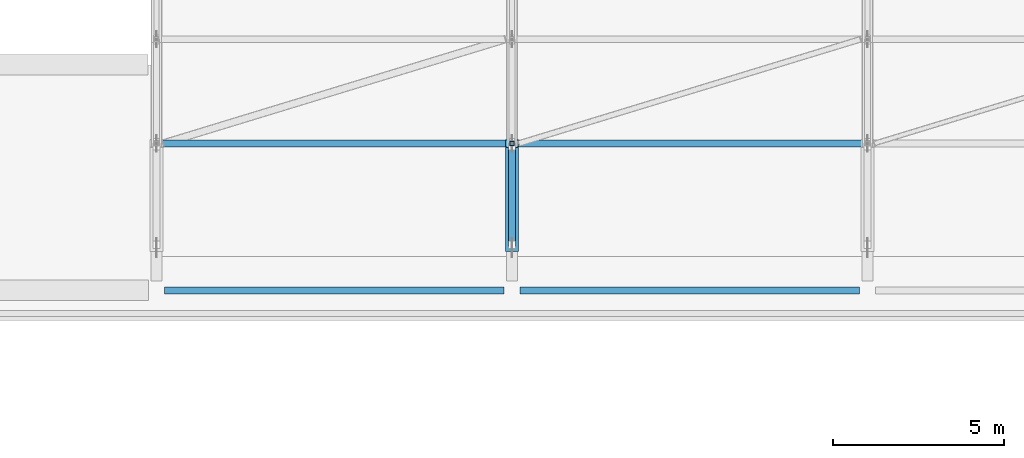
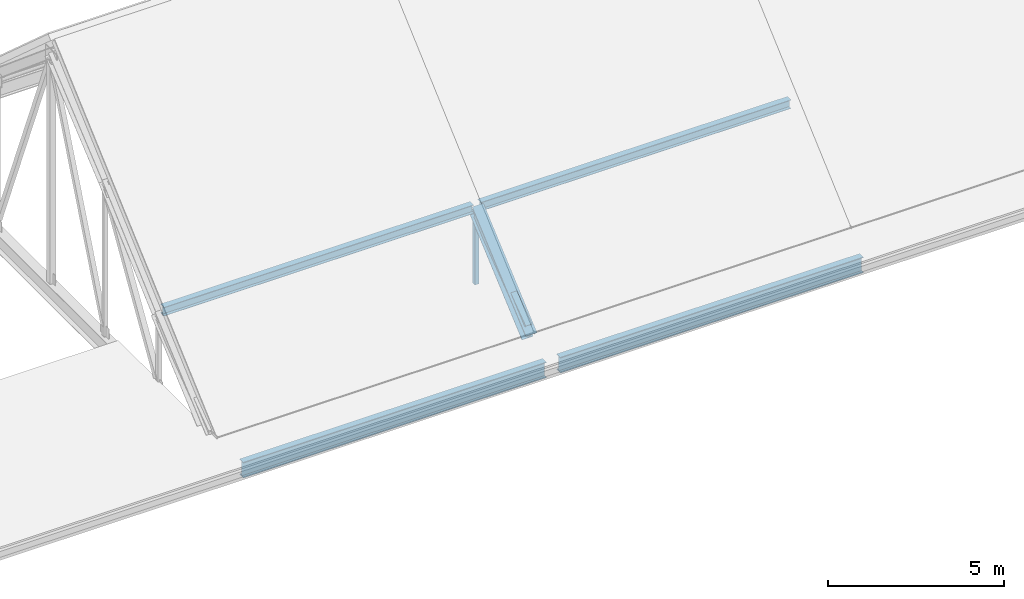
# One storey, part 12 of 86: 4 beams, 3 members.
"""IFC4 building model written with IfcOpenShell, lengths in metres."""

from ifc_helpers import new_model, si_unit, derived_unit, direction, frame, origin, origin_2d, place, context, subcontext, project, spatial, hollow_rectangle, i_section, extrude, material, material_profile, profile_set, type_object, element, save


model = new_model("IFC4")

# Units and contexts
model_context = context("Model", 3, precision=1e-05, world=origin(), true_north=direction((0.0, 1.0)))
body_context = subcontext(model_context, "Body", "Model", "MODEL_VIEW")
ifc_project = project(units=[si_unit("LENGTHUNIT", "METRE"), si_unit("AREAUNIT", "SQUARE_METRE"), si_unit("VOLUMEUNIT", "CUBIC_METRE"), si_unit("PLANEANGLEUNIT", "RADIAN"), si_unit("MASSUNIT", "GRAM", prefix="KILO"), derived_unit("THERMALTRANSMITTANCEUNIT", [(si_unit("POWERUNIT", "WATT"), 1), (si_unit("LENGTHUNIT", "METRE"), -2), (si_unit("THERMODYNAMICTEMPERATUREUNIT", "KELVIN"), -1)])], contexts=[model_context])

# Site, building, storey
site_placement = place(None, origin())
site = spatial("IfcSite", under=ifc_project, at=site_placement, CompositionType="ELEMENT")
building_placement = place(site_placement, origin())
building = spatial("IfcBuilding", under=site, at=building_placement, Name="Braskholm Square Health Centre", CompositionType="ELEMENT")
storey_placement = place(building_placement, frame((0.0, 0.0, 13.5)))
storey = spatial("IfcBuildingStorey", under=building, at=storey_placement, Name="L04", CompositionType="ELEMENT", Elevation=13.5)

# Beams
ifc_material_1 = material(Name="Steel ASTM A992 Grade 50", Category="steel")
ifc_material_profile_1 = material_profile(ifc_material_1, i_section(OverallWidth=0.202880859375, OverallDepth=0.302978515625, WebThickness=0.007568359375, FlangeThickness=0.01318359375, at=origin_2d()), Name="W12X40")
ifc_profile_set_1 = profile_set([ifc_material_profile_1], Name="Steel ASTM A992 Grade 50")
beam_type_1 = type_object("IfcBeamType", Name="RoofPurlinJoistW12X40", PredefinedType="JOIST", material=ifc_profile_set_1)
for number, where, z_axis, x_axis, name in (
    (1, (47.719970703125, 91.5, 2.402099609375), (1.0, 0.0, 0.0), (0.0, 1.0, 0.0), "ROOF TRUSS purlin joist 001"),
    (2, (58.1201171875, 91.5, 2.402099609375), (1.0, 0.0, 0.0), (0.0, 1.0, 0.0), "ROOF TRUSS purlin joist 006"),
):
    element("IfcBeam", number, at=place(storey_placement, frame(where, z_axis=z_axis, x_axis=x_axis)), inside=storey, type_object=beam_type_1, Name=name, PredefinedType="JOIST", context=body_context, shape_type="SweptSolid", body=[
        extrude(i_section(OverallWidth=0.202880859375, OverallDepth=0.302978515625, WebThickness=0.007568359375, FlangeThickness=0.01318359375, at=origin_2d()), origin(), (0.0, 0.0, 1.0), 10.159912109375),
    ])
ifc_material_profile_2 = material_profile(ifc_material_1, i_section(OverallWidth=0.2119140625, OverallDepth=0.5439453125, WebThickness=0.01318359375, FlangeThickness=0.021240234375, at=origin_2d()), Name="W21X83")
ifc_profile_set_2 = profile_set([ifc_material_profile_2], Name="Steel ASTM A992 Grade 50")
beam_type_2 = type_object("IfcBeamType", Name="SteelGirderEaveW21X83", PredefinedType="BEAM", material=ifc_profile_set_2)
for number, where, z_axis, x_axis, name in (
    (3, (47.830078125, 87.199951171875, -0.52197265625), (1.0, 0.0, 0.0), (0.0, 1.0, 0.0), "Beam 8-9/N L04"),
    (4, (58.22998046875, 87.199951171875, -0.52197265625), (1.0, 0.0, 0.0), (0.0, 1.0, 0.0), "Beam 9-10/N L04"),
):
    element("IfcBeam", number, at=place(storey_placement, frame(where, z_axis=z_axis, x_axis=x_axis)), inside=storey, type_object=beam_type_2, Name=name, PredefinedType="BEAM", context=body_context, shape_type="SweptSolid", body=[
        extrude(i_section(OverallWidth=0.2119140625, OverallDepth=0.5439453125, WebThickness=0.01318359375, FlangeThickness=0.021240234375, at=origin_2d()), origin(), (0.0, 0.0, 1.0), 9.93994140625),
    ])

# Members
ifc_material_2 = material(Name="Steel ASTM A500 Grade C", Category="steel")
ifc_material_profile_3 = material_profile(ifc_material_2, hollow_rectangle(XDim=0.203125, YDim=0.203125, WallThickness=0.01171875, at=origin_2d()), Name="HSS8X8X1/2")
ifc_profile_set_3 = profile_set([ifc_material_profile_3], Name="Steel ASTM A500 Grade C")
member_type_1 = type_object("IfcMemberType", Name="TrussOuterDiagHSS8X8X12", PredefinedType="BRACE", material=ifc_profile_set_3)
member_1_placement = place(storey_placement, frame((58.0, 88.5458984375, 0.031005859375), z_axis=(0.0, 0.803191214474, 0.595721304799), x_axis=(-1.0, 0.0, 0.0)))
element("IfcMember", 5, at=member_1_placement, inside=storey, type_object=member_type_1, Name="ROOF TRUSS diagonal web TR-02-D1", PredefinedType="BRACE", context=body_context, shape_type="SweptSolid", body=[
    extrude(hollow_rectangle(XDim=0.203125, YDim=0.203125, WallThickness=0.01171875, at=origin_2d()), origin(), (0.0, 0.0, 1.0), 3.55859375),
])
ifc_material_profile_4 = material_profile(ifc_material_1, i_section(OverallWidth=0.368896484375, OverallDepth=0.35595703125, WebThickness=0.01123046875, FlangeThickness=0.01806640625, at=origin_2d()), Name="W14X90")
ifc_profile_set_4 = profile_set([ifc_material_profile_4], Name="Steel ASTM A992 Grade 50")
member_type_2 = type_object("IfcMemberType", Name="TrussTopChordW14X90", PredefinedType="CHORD", material=ifc_profile_set_4)
member_2_placement = place(storey_placement, frame((58.0, 88.449951171875, -0.260009765625), z_axis=(0.0, 0.755846764348, 0.654748553892), x_axis=(-1.0, 0.0, 0.0)))
element("IfcMember", 6, at=member_2_placement, inside=storey, type_object=member_type_2, Name="ROOF TRUSS top chord TR-02-1", PredefinedType="CHORD", context=body_context, shape_type="SweptSolid", body=[
    extrude(i_section(OverallWidth=0.368896484375, OverallDepth=0.35595703125, WebThickness=0.01123046875, FlangeThickness=0.01806640625, at=origin_2d()), origin(), (0.0, 0.0, 1.0), 4.03515625),
])
ifc_material_profile_5 = material_profile(ifc_material_2, hollow_rectangle(XDim=0.126953125, YDim=0.126953125, WallThickness=0.00732421875, at=origin_2d()), Name="HSS5X5X5/16")
ifc_profile_set_5 = profile_set([ifc_material_profile_5], Name="Steel ASTM A500 Grade C")
member_type_3 = type_object("IfcMemberType", Name="TrussVerticalStrutHSS5X5", PredefinedType="STRUT", material=ifc_profile_set_5)
member_3_placement = place(storey_placement, frame((58.0, 91.5, -0.27001953125), z_axis=(0.0, 0.0, 1.0), x_axis=(1.0, 0.0, 0.0)))
element("IfcMember", 7, at=member_3_placement, inside=storey, type_object=member_type_3, Name="ROOF TRUSS vertical strut TR-02-V1", PredefinedType="STRUT", context=body_context, shape_type="SweptSolid", body=[
    extrude(hollow_rectangle(XDim=0.126953125, YDim=0.126953125, WallThickness=0.00732421875, at=origin_2d()), origin(), (0.0, 0.0, 1.0), 2.4921875),
])

save(model, "model.ifc")
